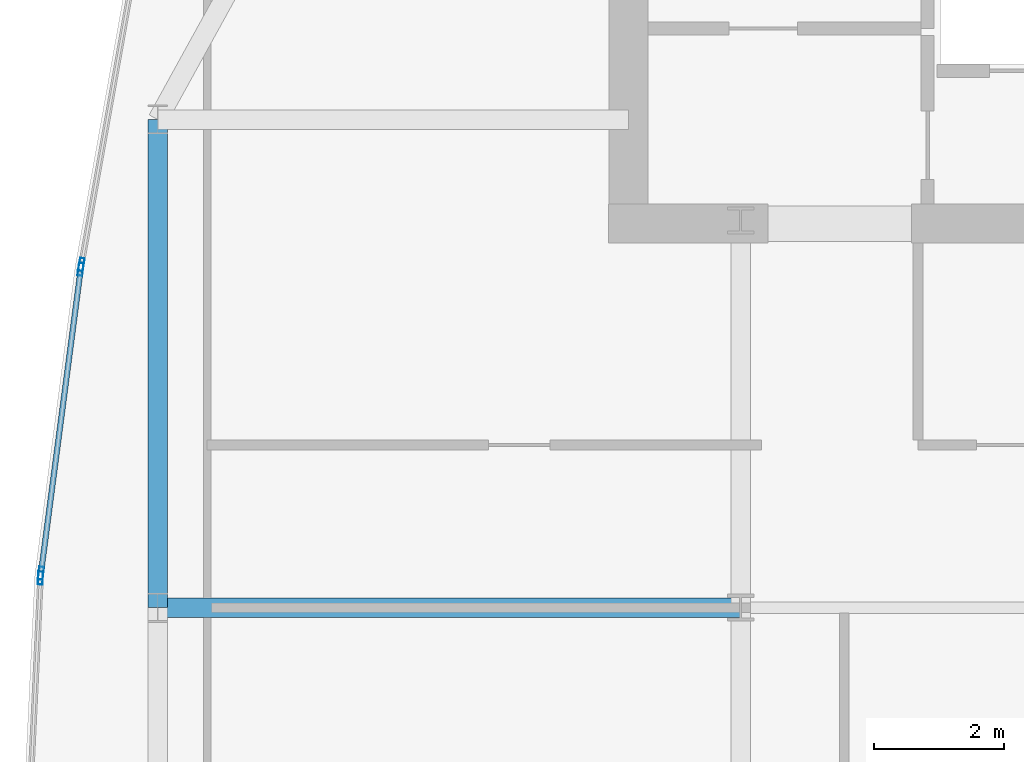
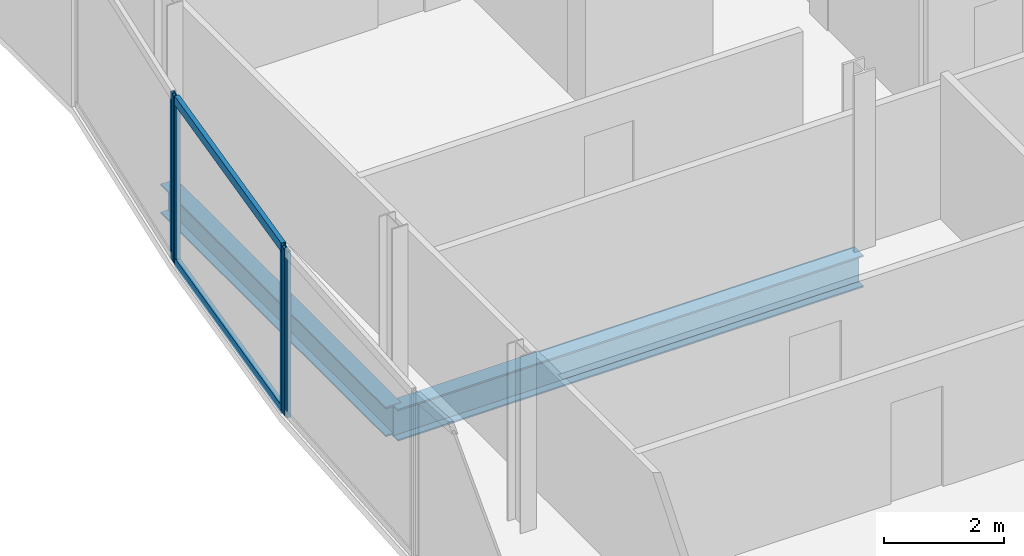
# One storey, part 12 of 30: 6 members, 2 beams, 3 elements without a shape of their own.
"""IFC4 building model written with IfcOpenShell, lengths in metres."""

from ifc_helpers import new_model, si_unit, direction, frame, origin, origin_2d, place, context, subcontext, project, spatial, hollow_rectangle, i_section, extrude, material, material_profile, profile_set, type_object, element, aggregate, save


model = new_model("IFC4")

# Units and contexts
model_context = context("Model", 3, precision=1e-05, world=origin(), true_north=direction((0.0, 1.0)))
body_context = subcontext(model_context, "Body", "Model", "MODEL_VIEW")
ifc_project = project(units=[si_unit("LENGTHUNIT", "METRE"), si_unit("AREAUNIT", "SQUARE_METRE"), si_unit("VOLUMEUNIT", "CUBIC_METRE"), si_unit("PLANEANGLEUNIT", "RADIAN"), si_unit("MASSUNIT", "GRAM", prefix="KILO")], contexts=[model_context])

# Site, building, storey
site_placement = place(None, origin())
site = spatial("IfcSite", under=ifc_project, at=site_placement, CompositionType="ELEMENT")
building_placement = place(site_placement, origin())
building = spatial("IfcBuilding", under=site, at=building_placement, Name="Khoronbel Lancet Exchange", CompositionType="ELEMENT")
storey_placement = place(building_placement, frame((0.0, 0.0, 253.39990234375)))
storey = spatial("IfcBuildingStorey", under=building, at=storey_placement, Name="L65", CompositionType="ELEMENT", Elevation=253.39990234375)

# Beams
ifc_material_1 = material(Name="Steel S355", Category="steel")
ifc_material_profile_1 = material_profile(ifc_material_1, i_section(OverallWidth=0.300048828125, OverallDepth=0.64990234375, WebThickness=0.01611328125, FlangeThickness=0.031005859375, at=origin_2d()), Name="HEB 650")
ifc_profile_set_1 = profile_set([ifc_material_profile_1], Name="Steel S355")
beam_type_1 = type_object("IfcBeamType", Name="BM-BG4", PredefinedType="BEAM", material=ifc_profile_set_1)
beam_1_placement = place(storey_placement, frame((9.27001953125, 35.699951171875, -0.48486328125), z_axis=(1.0, 0.0, 0.0), x_axis=(0.0, 1.0, 0.0)))
element("IfcBeam", 1, at=beam_1_placement, inside=storey, type_object=beam_type_1, Name="Level L65 west lens tie girder LG4W", PredefinedType="BEAM", context=body_context, shape_type="SweptSolid", body=[
    extrude(i_section(OverallWidth=0.300048828125, OverallDepth=0.64990234375, WebThickness=0.01611328125, FlangeThickness=0.031005859375, at=origin_2d()), origin(), (0.0, 0.0, 1.0), 8.955078125),
])
ifc_material_profile_2 = material_profile(ifc_material_1, i_section(OverallWidth=0.300048828125, OverallDepth=0.60009765625, WebThickness=0.015380859375, FlangeThickness=0.030029296875, at=origin_2d()), Name="HEB 600")
ifc_profile_set_2 = profile_set([ifc_material_profile_2], Name="Steel S355")
beam_type_2 = type_object("IfcBeamType", Name="BM-BSP2", PredefinedType="SPANDREL", material=ifc_profile_set_2)
beam_2_placement = place(storey_placement, frame((9.27001953125, 43.199951171875, -0.4599609375), z_axis=(0.0, -1.0, 0.0), x_axis=(1.0, 0.0, 0.0)))
element("IfcBeam", 2, at=beam_2_placement, inside=storey, type_object=beam_type_2, Name="Level L65 perimeter spandrel beam SP17", PredefinedType="SPANDREL", context=body_context, shape_type="SweptSolid", body=[
    extrude(i_section(OverallWidth=0.300048828125, OverallDepth=0.60009765625, WebThickness=0.015380859375, FlangeThickness=0.030029296875, at=origin_2d()), origin(), (0.0, 0.0, 1.0), 7.5),
])

# Curtain wall, member
ifc_material_2 = material(Name="Low-E Solar Control Insulating Glass", Category="glass")
curtain_wall_type = type_object("IfcCurtainWallType", Name="CW-4", PredefinedType="NOTDEFINED", material=ifc_material_2)
curtain_wall_1_placement = place(storey_placement, origin())
curtain_wall_1 = element("IfcCurtainWall", 3, at=curtain_wall_1_placement, inside=storey, type_object=curtain_wall_type, Name="Unitised curtain wall CW-L65-E07", PredefinedType="NOTDEFINED")
ifc_material_3 = material(Name="Bronze-Anodised Aluminium 6063-T6", Category="aluminium")
ifc_material_profile_3 = material_profile(ifc_material_3, hollow_rectangle(XDim=0.074951171875, YDim=0.199951171875, WallThickness=0.0048828125, at=origin_2d()), Name="ALU MULLION 75x200")
ifc_profile_set_3 = profile_set([ifc_material_profile_3], Name="Bronze-Anodised Aluminium 6063-T6")
member_type_1 = type_object("IfcMemberType", Name="MEM-CWM2", PredefinedType="MULLION", material=ifc_profile_set_3)
member_1_placement = place(storey_placement, frame((7.468505859375, 36.154541015625, 0.0), z_axis=(0.0, 0.0, 1.0), x_axis=(-0.998857198159, 0.047794326923, 0.0)))
member_1 = element("IfcMember", 4, at=member_1_placement, type_object=member_type_1, Name="CW4 mullion 2", PredefinedType="MULLION", context=body_context, shape_type="SweptSolid", body=[
    extrude(hollow_rectangle(XDim=0.074951171875, YDim=0.199951171875, WallThickness=0.0048828125, at=origin_2d()), origin(), (0.0, 0.0, 1.0), 3.380126953125),
])
aggregate(curtain_wall_1, [member_1])

# Curtain wall, members
curtain_wall_2_placement = place(storey_placement, origin())
curtain_wall_2 = element("IfcCurtainWall", 5, at=curtain_wall_2_placement, inside=storey, type_object=curtain_wall_type, Name="Unitised curtain wall CW-L65-E08", PredefinedType="NOTDEFINED")
member_2_placement = place(storey_placement, frame((7.475341796875, 36.229248046875, 0.0), z_axis=(0.0, 0.0, 1.0), x_axis=(-0.991560388751, 0.129645653456, 0.0)))
member_2 = element("IfcMember", 6, at=member_2_placement, type_object=member_type_1, Name="CW4 mullion 1", PredefinedType="MULLION", context=body_context, shape_type="SweptSolid", body=[
    extrude(hollow_rectangle(XDim=0.074951171875, YDim=0.199951171875, WallThickness=0.0048828125, at=origin_2d()), origin(), (0.0, 0.0, 1.0), 3.380126953125),
])
member_3_placement = place(storey_placement, frame((8.0859375, 40.89892578125, 0.0), z_axis=(0.0, 0.0, 1.0), x_axis=(-0.991560388751, 0.129645653456, 0.0)))
member_3 = element("IfcMember", 7, at=member_3_placement, type_object=member_type_1, Name="CW4 mullion 2", PredefinedType="MULLION", context=body_context, shape_type="SweptSolid", body=[
    extrude(hollow_rectangle(XDim=0.074951171875, YDim=0.199951171875, WallThickness=0.0048828125, at=origin_2d()), origin(), (0.0, 0.0, 1.0), 3.380126953125),
])

# Curtain wall, member
curtain_wall_3_placement = place(storey_placement, origin())
curtain_wall_3 = element("IfcCurtainWall", 8, at=curtain_wall_3_placement, inside=storey, type_object=curtain_wall_type, Name="Unitised curtain wall CW-L65-E09", PredefinedType="NOTDEFINED")
member_4_placement = place(storey_placement, frame((8.097412109375, 40.97314453125, 0.0), z_axis=(0.0, 0.0, 1.0), x_axis=(-0.984425784404, 0.175800668376, 0.0)))
member_4 = element("IfcMember", 9, at=member_4_placement, type_object=member_type_1, Name="CW4 mullion 1", PredefinedType="MULLION", context=body_context, shape_type="SweptSolid", body=[
    extrude(hollow_rectangle(XDim=0.074951171875, YDim=0.199951171875, WallThickness=0.0048828125, at=origin_2d()), origin(), (0.0, 0.0, 1.0), 3.380126953125),
])
aggregate(curtain_wall_3, [member_4])

# Member
ifc_material_profile_4 = material_profile(ifc_material_3, hollow_rectangle(XDim=0.0849609375, YDim=0.179931640625, WallThickness=0.0048828125, at=origin_2d()), Name="ALU TRANSOM 85x180")
ifc_profile_set_4 = profile_set([ifc_material_profile_4], Name="Bronze-Anodised Aluminium 6063-T6")
member_type_2 = type_object("IfcMemberType", Name="MEM-CWT1", PredefinedType="USERDEFINED", material=ifc_profile_set_4)
member_5_placement = place(storey_placement, frame((7.480224609375, 36.266357421875, 0.04248046875), z_axis=(0.129640951477, 0.991561003519, 0.0), x_axis=(-0.991561003519, 0.129640951477, 0.0)))
member_5 = element("IfcMember", 10, at=member_5_placement, type_object=member_type_2, Name="CW4 transom 1.1", ObjectType="TRANSOM", PredefinedType="USERDEFINED", context=body_context, shape_type="SweptSolid", body=[
    extrude(hollow_rectangle(XDim=0.0849609375, YDim=0.179931640625, WallThickness=0.0048828125, at=origin_2d()), origin(), (0.0, 0.0, 1.0), 4.634521484375),
])

member_6_placement = place(storey_placement, frame((7.480224609375, 36.266357421875, 3.337646484375), z_axis=(0.129640951477, 0.991561003519, 0.0), x_axis=(-0.991561003519, 0.129640951477, 0.0)))
member_6 = element("IfcMember", 11, at=member_6_placement, type_object=member_type_2, Name="CW4 transom 1.2", ObjectType="TRANSOM", PredefinedType="USERDEFINED", context=body_context, shape_type="SweptSolid", body=[
    extrude(hollow_rectangle(XDim=0.0849609375, YDim=0.179931640625, WallThickness=0.0048828125, at=origin_2d()), origin(), (0.0, 0.0, 1.0), 4.634521484375),
])

aggregate(curtain_wall_2, [member_2, member_3, member_5, member_6])

save(model, "model.ifc")
